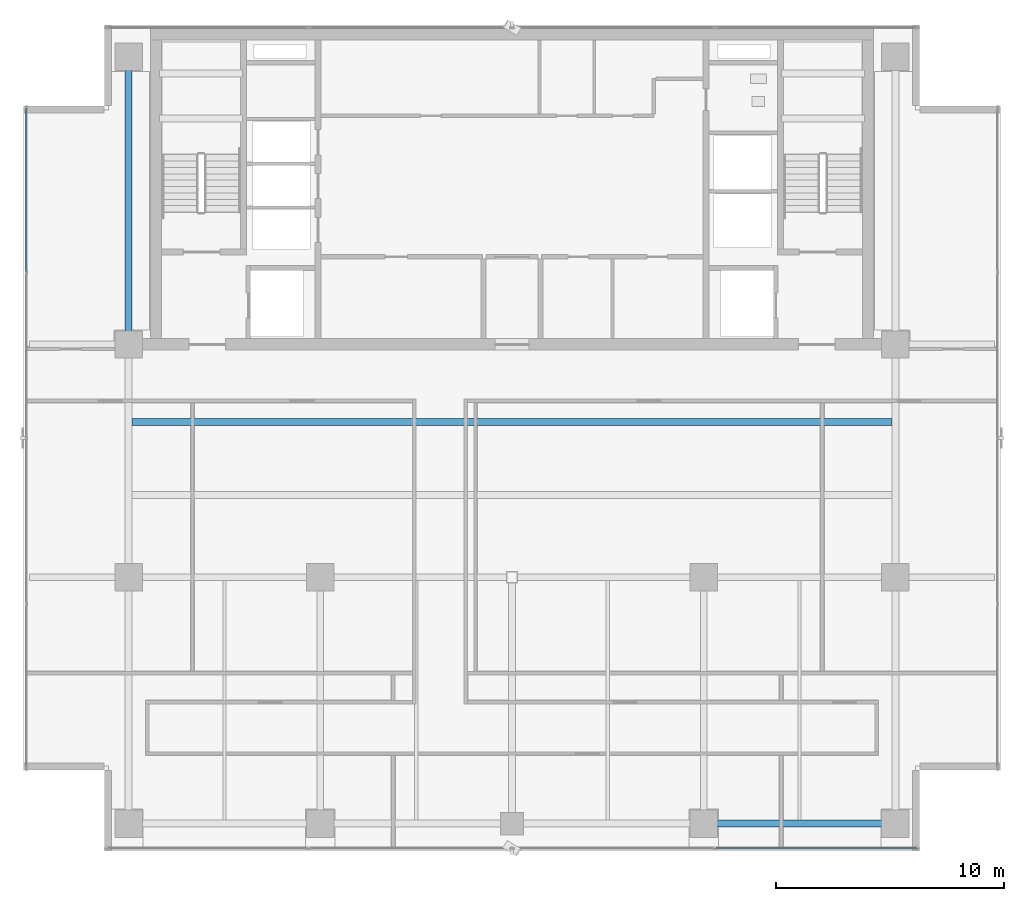
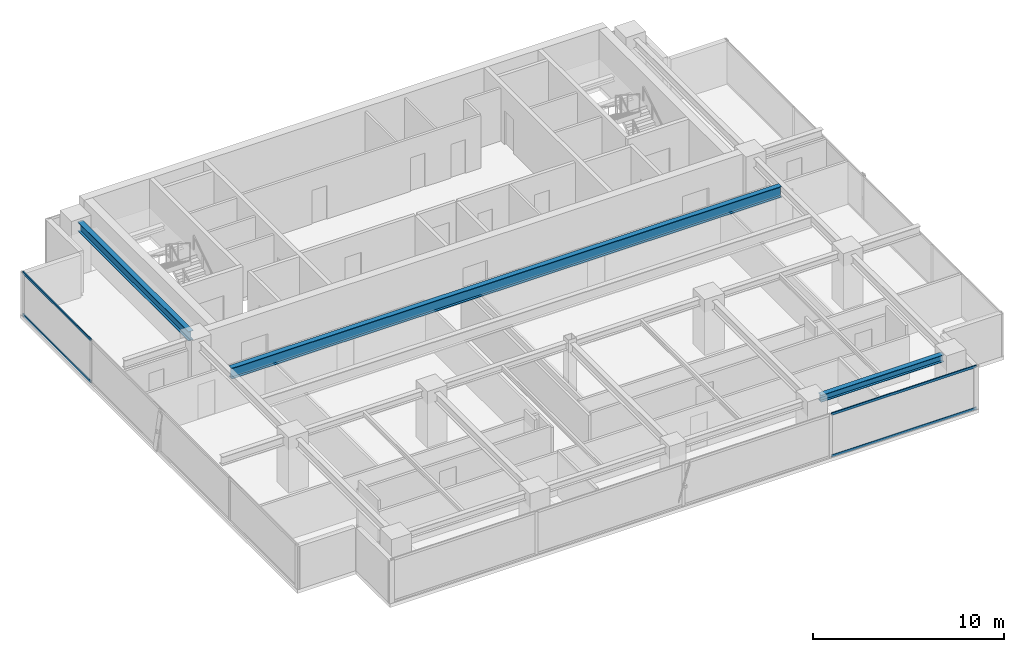
# One storey, part 7 of 20: 4 members, 3 beams, 2 elements without a shape of their own.
"""IFC4 building model written with IfcOpenShell, lengths in metres."""

from ifc_helpers import new_model, si_unit, direction, frame, origin, origin_2d, place, context, subcontext, project, spatial, hollow_rectangle, i_section, extrude, source, transform, mapped, material, layer, layer_set, material_profile, profile_set, type_object, element, aggregate, save


model = new_model("IFC4")

# Units and contexts
model_context = context("Model", 3, precision=1e-05, world=origin(), true_north=direction((0.0, 1.0)))
body_context = subcontext(model_context, "Body", "Model", "MODEL_VIEW")
ifc_project = project(units=[si_unit("LENGTHUNIT", "METRE"), si_unit("AREAUNIT", "SQUARE_METRE"), si_unit("VOLUMEUNIT", "CUBIC_METRE"), si_unit("PLANEANGLEUNIT", "RADIAN"), si_unit("MASSUNIT", "GRAM", prefix="KILO")], contexts=[model_context])

# Site, building, storey
site_placement = place(None, origin())
site = spatial("IfcSite", under=ifc_project, at=site_placement, CompositionType="ELEMENT")
building_placement = place(site_placement, origin())
building = spatial("IfcBuilding", under=site, at=building_placement, Name="Sumidabori Civic Tower", CompositionType="ELEMENT")
storey_placement = place(building_placement, frame((0.0, 0.0, 282.800048828125)))
storey = spatial("IfcBuildingStorey", under=building, at=storey_placement, Name="L74", CompositionType="ELEMENT", Elevation=282.800048828125)

# Beams
ifc_material_1 = material(Name="Steel SN490", Category="steel")
ifc_material_profile_1 = material_profile(ifc_material_1, i_section(OverallWidth=0.300048828125, OverallDepth=0.60009765625, WebThickness=0.015380859375, FlangeThickness=0.030029296875, at=origin_2d()), Name="HE 600 B")
ifc_profile_set_1 = profile_set([ifc_material_profile_1], Name="Steel SN490")
beam_type_1 = type_object("IfcBeamType", Name="BM-GIRD-600", PredefinedType="BEAM", material=ifc_profile_set_1)
shared_shape_1 = source(origin(), body_context, "Body", "SweptSolid", [
    extrude(i_section(OverallWidth=0.300048828125, OverallDepth=0.60009765625, WebThickness=0.015380859375, FlangeThickness=0.030029296875, at=origin_2d()), origin(), (0.0, 0.0, 1.0), 11.64013671875),
])
beam_1_placement = place(storey_placement, frame((-16.800048828125, 10.679931640625, 3.070068359375), z_axis=(0.0, 1.0, 0.0), x_axis=(-1.0, 0.0, 0.0)))
element("IfcBeam", 1, at=beam_1_placement, inside=storey, type_object=beam_type_1, Name="Primary Girder L74 GY-11", PredefinedType="BEAM", context=body_context, shape_type="MappedRepresentation", body=[
    mapped(shared_shape_1, transform((0.0, 0.0, 0.0), x_axis=(1.0, 0.0, 0.0), y_axis=(0.0, 1.0, 0.0), z_axis=(0.0, 0.0, 1.0), scale=1.0)),
])
ifc_material_profile_2 = material_profile(ifc_material_1, i_section(OverallWidth=0.300048828125, OverallDepth=0.699951171875, WebThickness=0.01708984375, FlangeThickness=0.031982421875, at=origin_2d()), Name="HE 700 B")
ifc_profile_set_2 = profile_set([ifc_material_profile_2], Name="Steel SN490")
beam_type_2 = type_object("IfcBeamType", Name="BM-GIRD-700", PredefinedType="BEAM", material=ifc_profile_set_2)
shared_shape_2 = source(origin(), body_context, "Body", "SweptSolid", [
    extrude(i_section(OverallWidth=0.300048828125, OverallDepth=0.699951171875, WebThickness=0.01708984375, FlangeThickness=0.031982421875, at=origin_2d()), origin(), (0.0, 0.0, 1.0), 33.2998046875),
])
beam_2_placement = place(storey_placement, frame((-16.64990234375, 6.800048828125, 3.02001953125), z_axis=(1.0, 0.0, 0.0), x_axis=(0.0, 1.0, 0.0)))
element("IfcBeam", 2, at=beam_2_placement, inside=storey, type_object=beam_type_2, Name="North Bay Floor Beam L74 JSTN-23", PredefinedType="BEAM", context=body_context, shape_type="MappedRepresentation", body=[
    mapped(shared_shape_2, transform((0.0, 0.0, 0.0), x_axis=(1.0, 0.0, 0.0), y_axis=(0.0, 1.0, 0.0), z_axis=(0.0, 0.0, 1.0), scale=1.0)),
])
ifc_material_profile_3 = material_profile(ifc_material_1, i_section(OverallWidth=0.300048828125, OverallDepth=0.449951171875, WebThickness=0.013916015625, FlangeThickness=0.02587890625, at=origin_2d()), Name="HE 450 B")
ifc_profile_set_3 = profile_set([ifc_material_profile_3], Name="Steel SN490")
beam_type_3 = type_object("IfcBeamType", Name="BM-GIRD-450", PredefinedType="BEAM", material=ifc_profile_set_3)
shared_shape_3 = source(origin(), body_context, "Body", "SweptSolid", [
    extrude(i_section(OverallWidth=0.300048828125, OverallDepth=0.449951171875, WebThickness=0.013916015625, FlangeThickness=0.02587890625, at=origin_2d()), origin(), (0.0, 0.0, 1.0), 7.440185546875),
])
beam_3_placement = place(storey_placement, frame((8.8798828125, -10.800048828125, 3.14501953125), z_axis=(1.0, 0.0, 0.0), x_axis=(0.0, 1.0, 0.0)))
element("IfcBeam", 3, at=beam_3_placement, inside=storey, type_object=beam_type_3, Name="Primary Girder L74 GX-04", PredefinedType="BEAM", context=body_context, shape_type="MappedRepresentation", body=[
    mapped(shared_shape_3, transform((0.0, 0.0, 0.0), x_axis=(1.0, 0.0, 0.0), y_axis=(0.0, 1.0, 0.0), z_axis=(0.0, 0.0, 1.0), scale=1.0)),
])

# Curtain wall, members
ifc_material_2 = material(Name="Anodised Bronze Aluminium AW-6063-T6", Category="aluminium")
ifc_layer = layer(ifc_material_2, 0.179931640625, Name="Anodised Bronze Aluminium AW-6063-T6")
ifc_layer_set = layer_set([ifc_layer], Name="Anodised Bronze Aluminium AW-6063-T6")
curtain_wall_type = type_object("IfcCurtainWallType", Name="CW-SYS-6", PredefinedType="NOTDEFINED", material=ifc_layer_set)
curtain_wall_1_placement = place(storey_placement, origin())
curtain_wall_1 = element("IfcCurtainWall", 4, at=curtain_wall_1_placement, inside=storey, type_object=curtain_wall_type, Name="Curtain Wall CW:L74:R01", PredefinedType="NOTDEFINED")
ifc_material_profile_4 = material_profile(ifc_material_2, hollow_rectangle(XDim=0.06494140625, YDim=0.14990234375, WallThickness=0.0048828125, at=origin_2d()), Name="ALU TRANSOM 150x65")
ifc_profile_set_4 = profile_set([ifc_material_profile_4], Name="Anodised Bronze Aluminium AW-6063-T6")
member_type = type_object("IfcMemberType", Name="CW-TRN-150", PredefinedType="USERDEFINED", material=ifc_profile_set_4)
shared_shape_4 = source(origin(), body_context, "Body", "SweptSolid", [
    extrude(hollow_rectangle(XDim=0.06494140625, YDim=0.14990234375, WallThickness=0.0048828125, at=origin_2d()), origin(), (0.0, 0.0, 1.0), 8.804931640625),
])
member_1_placement = place(storey_placement, frame((8.945068359375, -11.8798828125, 0.032470703125), z_axis=(1.0, 0.0, 0.0), x_axis=(0.0, 1.0, 0.0)))
member_1 = element("IfcMember", 5, at=member_1_placement, type_object=member_type, Name="CW-6 transom 4.1", ObjectType="TRANSOM", PredefinedType="USERDEFINED", context=body_context, shape_type="MappedRepresentation", body=[
    mapped(shared_shape_4, transform((0.0, 0.0, 0.0), x_axis=(1.0, 0.0, 0.0), y_axis=(0.0, 1.0, 0.0), z_axis=(0.0, 0.0, 1.0), scale=1.0)),
])
member_2_placement = place(storey_placement, frame((8.945068359375, -11.8798828125, 2.717529296875), z_axis=(1.0, 0.0, 0.0), x_axis=(0.0, 1.0, 0.0)))
member_2 = element("IfcMember", 6, at=member_2_placement, type_object=member_type, Name="CW-6 transom 4.2", ObjectType="TRANSOM", PredefinedType="USERDEFINED", context=body_context, shape_type="MappedRepresentation", body=[
    mapped(shared_shape_4, transform((0.0, 0.0, 0.0), x_axis=(1.0, 0.0, 0.0), y_axis=(0.0, 1.0, 0.0), z_axis=(0.0, 0.0, 1.0), scale=1.0)),
])
aggregate(curtain_wall_1, [member_1, member_2])

curtain_wall_2_placement = place(storey_placement, origin())
curtain_wall_2 = element("IfcCurtainWall", 7, at=curtain_wall_2_placement, inside=storey, type_object=curtain_wall_type, Name="Curtain Wall CW:L74:R10", PredefinedType="NOTDEFINED")
shared_shape_5 = source(origin(), body_context, "Body", "SweptSolid", [
    extrude(hollow_rectangle(XDim=0.06494140625, YDim=0.14990234375, WallThickness=0.0048828125, at=origin_2d()), origin(), (0.0, 0.0, 1.0), 7.155029296875),
])
member_3_placement = place(storey_placement, frame((-21.280029296875, 20.550048828125, 0.032470703125), z_axis=(0.0, -1.0, 0.0), x_axis=(1.0, 0.0, 0.0)))
member_3 = element("IfcMember", 8, at=member_3_placement, type_object=member_type, Name="CW-6 transom 1.1", ObjectType="TRANSOM", PredefinedType="USERDEFINED", context=body_context, shape_type="MappedRepresentation", body=[
    mapped(shared_shape_5, transform((0.0, 0.0, 0.0), x_axis=(1.0, 0.0, 0.0), y_axis=(0.0, 1.0, 0.0), z_axis=(0.0, 0.0, 1.0), scale=1.0)),
])
member_4_placement = place(storey_placement, frame((-21.280029296875, 20.550048828125, 2.717529296875), z_axis=(0.0, -1.0, 0.0), x_axis=(1.0, 0.0, 0.0)))
member_4 = element("IfcMember", 9, at=member_4_placement, type_object=member_type, Name="CW-6 transom 1.2", ObjectType="TRANSOM", PredefinedType="USERDEFINED", context=body_context, shape_type="MappedRepresentation", body=[
    mapped(shared_shape_5, transform((0.0, 0.0, 0.0), x_axis=(1.0, 0.0, 0.0), y_axis=(0.0, 1.0, 0.0), z_axis=(0.0, 0.0, 1.0), scale=1.0)),
])
aggregate(curtain_wall_2, [member_3, member_4])

save(model, "model.ifc")
